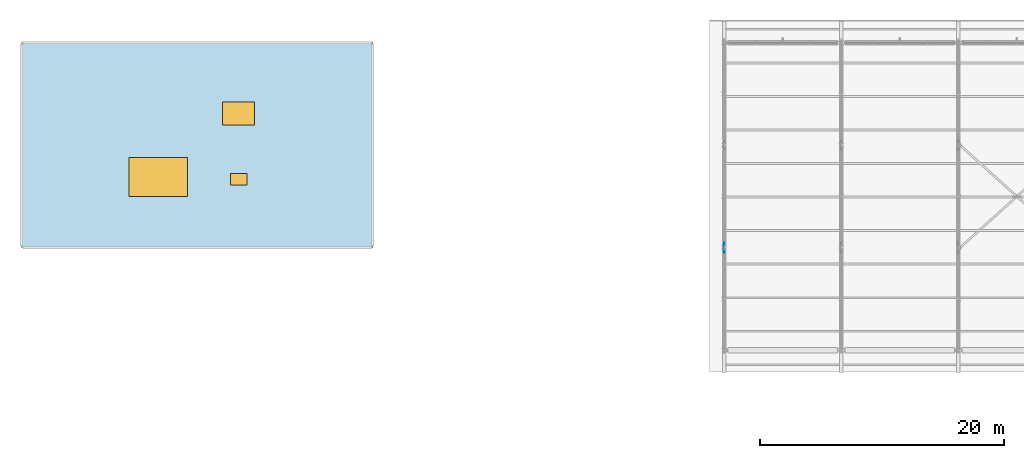
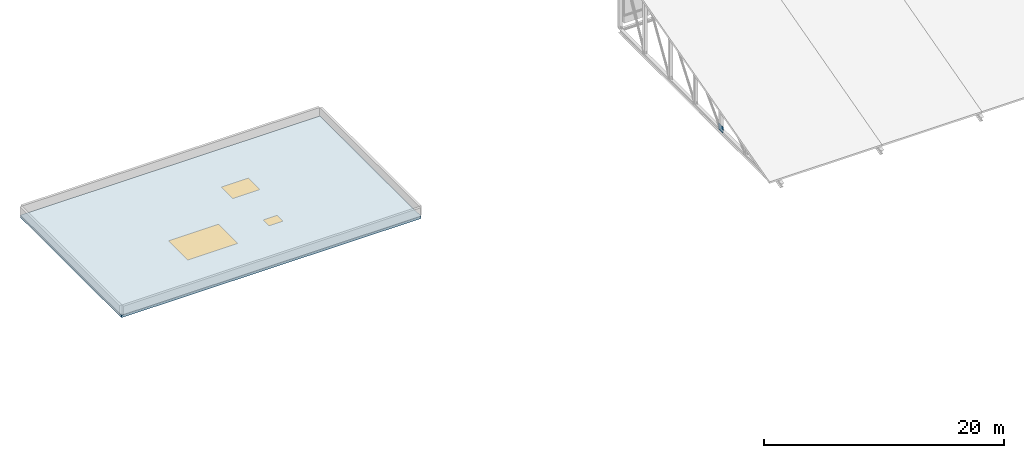
# One storey, part 19 of 37: 2 windows, 1 door, 1 plate, 1 slab, 3 openings.
"""IFC4 building model written with IfcOpenShell, lengths in metres."""

from ifc_helpers import new_model, si_unit, direction, frame, origin, origin_2d, place, context, subcontext, project, spatial, polyline, rectangle, outline, extrude, material, layer, layer_set, type_object, element, fill, save


model = new_model("IFC4")

# Units and contexts
model_context = context("Model", 3, precision=1e-05, world=origin(), true_north=direction((0.0, 1.0)))
body_context = subcontext(model_context, "Body", "Model", "MODEL_VIEW")
ifc_project = project(units=[si_unit("LENGTHUNIT", "METRE"), si_unit("AREAUNIT", "SQUARE_METRE"), si_unit("VOLUMEUNIT", "CUBIC_METRE"), si_unit("PLANEANGLEUNIT", "RADIAN"), si_unit("MASSUNIT", "GRAM", prefix="KILO")], contexts=[model_context])

# Site, building, storey
site_placement = place(None, origin())
site = spatial("IfcSite", under=ifc_project, at=site_placement, CompositionType="ELEMENT")
building_placement = place(site_placement, origin())
building = spatial("IfcBuilding", under=site, at=building_placement, Name="Shalvenor Court Art Gallery", CompositionType="ELEMENT")
storey_placement = place(building_placement, frame((0.0, 0.0, 22.199951171875)))
storey = spatial("IfcBuildingStorey", under=building, at=storey_placement, Name="L04", CompositionType="ELEMENT", Elevation=22.199951171875)

# Plate
ifc_material_1 = material(Name="Steel S355", Category="steel")
ifc_layer_1 = layer(ifc_material_1, 0.02587890625, Name="Steel S355")
ifc_layer_set_1 = layer_set([ifc_layer_1], Name="Steel S355")
plate_type = type_object("IfcPlateType", Name="GP-03", PredefinedType="SHEET", material=ifc_layer_set_1)
plate_placement = place(storey_placement, frame((57.60009765625, 105.60009765625, -1.425048828125), z_axis=(0.0, 0.0, 1.0), x_axis=(0.0, 1.0, 0.0)))
element("IfcPlate", 1, at=plate_placement, inside=storey, type_object=plate_type, Name="TN-02 Truss Gusset Plate PLT-GUS-0003", PredefinedType="SHEET", context=body_context, shape_type="SweptSolid", body=[
    extrude(rectangle(XDim=0.800048828125, YDim=0.02587890625, at=origin_2d()), origin(), (0.0, 0.0, 1.0), 0.60009765625),
])

# Slab, openings, windows, door
ifc_material_2 = material(Name="Concrete C40/50", Category="concrete")
ifc_layer_2 = layer(ifc_material_2, 0.25, Name="Concrete C40/50")
ifc_layer_set_2 = layer_set([ifc_layer_2], Name="Concrete C40/50")
slab_type = type_object("IfcSlabType", Name="RF-250", PredefinedType="ROOF", material=ifc_layer_set_2)
slab_placement = place(storey_placement, frame((0.0, 0.0, -0.25)))
slab = element("IfcSlab", 2, at=slab_placement, inside=storey, type_object=slab_type, Name="L04 V5 Flat Roof Slab", PredefinedType="ROOF", context=body_context, shape_type="SweptSolid", body=[
    extrude(outline(polyline([(28.800048828125, 105.60009765625), (28.800048828125, 122.39990234375), (0.0, 122.39990234375), (0.0, 105.60009765625), (28.800048828125, 105.60009765625)])), origin(), (0.0, 0.0, 1.0), 0.25),
])
opening_1_placement = place(slab_placement, frame((17.800048828125, 111.199951171875, -0.010009765625), z_axis=(0.0, 0.0, 1.0), x_axis=(1.0, 0.0, 0.0)))
opening_1 = element("IfcOpeningElement", 3, at=opening_1_placement, cuts=slab, Name="Opening RH-03", PredefinedType="OPENING", context=body_context, shape_type="SweptSolid", body=[
    extrude(rectangle(XDim=1.35009765625, YDim=0.949951171875, at=origin_2d()), origin(), (0.0, 0.0, 1.0), 0.27001953125),
])
opening_2_placement = place(slab_placement, frame((11.199951171875, 111.39990234375, -0.010009765625), z_axis=(0.0, 0.0, 1.0), x_axis=(1.0, 0.0, 0.0)))
opening_2 = element("IfcOpeningElement", 4, at=opening_2_placement, cuts=slab, Name="Opening SK-03", PredefinedType="OPENING", context=body_context, shape_type="SweptSolid", body=[
    extrude(rectangle(XDim=4.800048828125, YDim=3.199951171875, at=origin_2d()), origin(), (0.0, 0.0, 1.0), 0.27001953125),
])
opening_3_placement = place(slab_placement, frame((17.800048828125, 116.60009765625, -0.010009765625), z_axis=(0.0, 0.0, 1.0), x_axis=(1.0, 0.0, 0.0)))
opening_3 = element("IfcOpeningElement", 5, at=opening_3_placement, cuts=slab, Name="Opening LDM-03", PredefinedType="OPENING", context=body_context, shape_type="SweptSolid", body=[
    extrude(rectangle(XDim=2.60009765625, YDim=1.89990234375, at=origin_2d()), origin(), (0.0, 0.0, 1.0), 0.27001953125),
])
ifc_material_3 = material(Name="Diffused opal polycarbonate museum daylight dome", Category="glass")
window_type_1 = type_object("IfcWindowType", Name="LDM-03", PartitioningType="SINGLE_PANEL", PredefinedType="LIGHTDOME", material=ifc_material_3)
window_1_placement = place(slab_placement, frame((17.800048828125, 116.60009765625, 0.110107421875), z_axis=(0.0, 0.0, 1.0), x_axis=(1.0, 0.0, 0.0)))
window_1 = element("IfcWindow", 6, at=window_1_placement, inside=storey, type_object=window_type_1, Name="L04 Roof Skylight SKY-0067", OverallHeight=1.89990234375, OverallWidth=2.60009765625, PartitioningType="SINGLE_PANEL", PredefinedType="LIGHTDOME", context=body_context, shape_type="SweptSolid", body=[
    extrude(rectangle(XDim=2.60009765625, YDim=1.89990234375, at=origin_2d()), origin(), (0.0, 0.0, 1.0), 0.139892578125),
])
fill(opening_3, window_1)
ifc_material_4 = material(Name="Insulated aluminium roof access hatch", Category="aluminium")
door_type = type_object("IfcDoorType", Name="RH-03", OperationType="NOTDEFINED", PredefinedType="TRAPDOOR", material=ifc_material_4)
door_placement = place(slab_placement, frame((17.800048828125, 111.199951171875, 0.1298828125), z_axis=(0.0, 0.0, 1.0), x_axis=(1.0, 0.0, 0.0)))
door = element("IfcDoor", 7, at=door_placement, inside=storey, type_object=door_type, Name="HT-L04-03 L04 Roof Access Hatch", OperationType="SINGLE_SWING_LEFT", OverallHeight=0.1201171875, OverallWidth=1.35009765625, PredefinedType="TRAPDOOR", context=body_context, shape_type="SweptSolid", body=[
    extrude(rectangle(XDim=1.35009765625, YDim=0.949951171875, at=origin_2d()), origin(), (0.0, 0.0, 1.0), 0.1201171875),
])
fill(opening_1, door)
ifc_material_5 = material(Name="UV-filtered diffused museum skylight IGU", Category="glass")
window_type_2 = type_object("IfcWindowType", Name="SK-03", PartitioningType="SINGLE_PANEL", PredefinedType="SKYLIGHT", material=ifc_material_5)
window_2_placement = place(slab_placement, frame((11.199951171875, 111.39990234375, 0.1298828125), z_axis=(0.0, 0.0, 1.0), x_axis=(1.0, 0.0, 0.0)))
window_2 = element("IfcWindow", 8, at=window_2_placement, inside=storey, type_object=window_type_2, Name="L04 Roof Skylight SKY-0066", OverallHeight=3.199951171875, OverallWidth=4.800048828125, PartitioningType="SINGLE_PANEL", PredefinedType="SKYLIGHT", context=body_context, shape_type="SweptSolid", body=[
    extrude(rectangle(XDim=4.800048828125, YDim=3.199951171875, at=origin_2d()), origin(), (0.0, 0.0, 1.0), 0.1201171875),
])
fill(opening_2, window_2)

save(model, "model.ifc")
